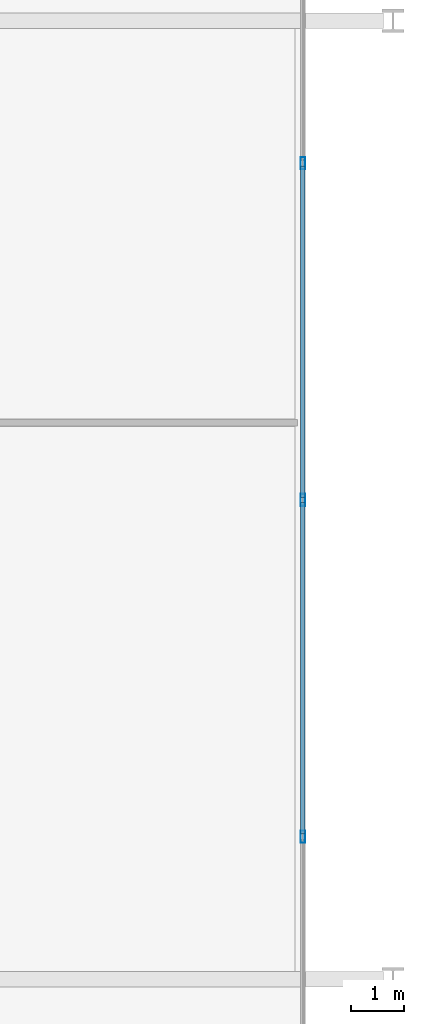
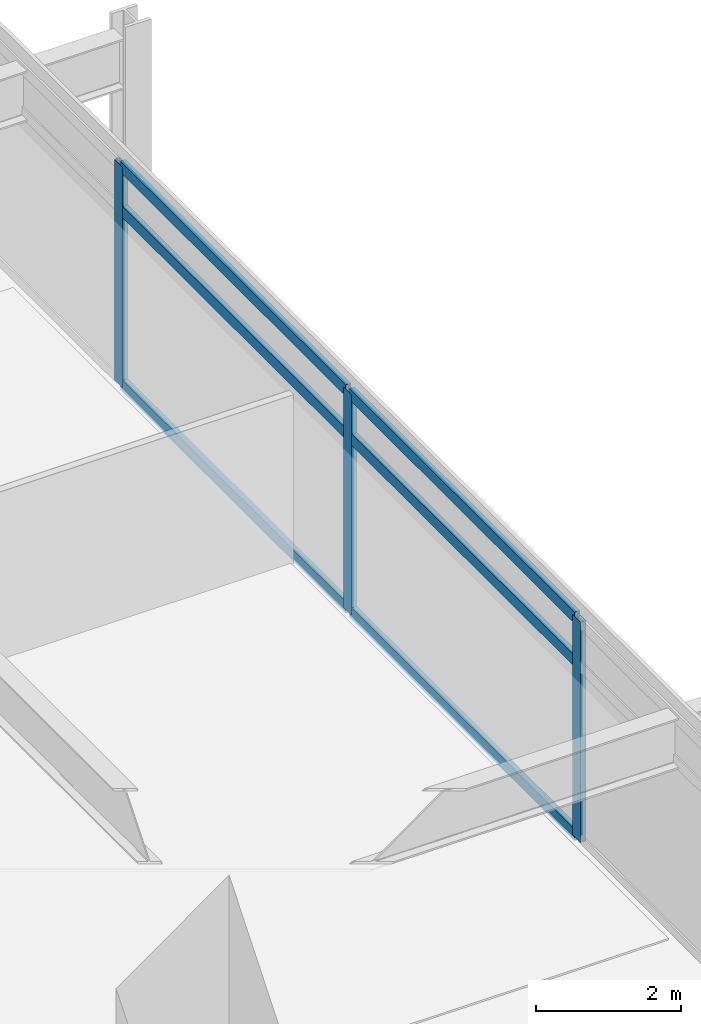
# One storey, part 10 of 23: 9 members, 1 element without a shape of its own.
"""IFC4 building model written with IfcOpenShell, lengths in metres."""

from ifc_helpers import new_model, si_unit, direction, frame, origin, origin_2d, place, context, subcontext, project, spatial, hollow_rectangle, extrude, material, material_profile, profile_set, type_object, element, aggregate, save


model = new_model("IFC4")

# Units and contexts
model_context = context("Model", 3, precision=1e-05, world=origin(), true_north=direction((0.0, 1.0)))
body_context = subcontext(model_context, "Body", "Model", "MODEL_VIEW")
ifc_project = project(units=[si_unit("LENGTHUNIT", "METRE"), si_unit("AREAUNIT", "SQUARE_METRE"), si_unit("VOLUMEUNIT", "CUBIC_METRE"), si_unit("PLANEANGLEUNIT", "RADIAN"), si_unit("MASSUNIT", "GRAM", prefix="KILO")], contexts=[model_context])

# Site, building, storey
site_placement = place(None, origin())
site = spatial("IfcSite", under=ifc_project, at=site_placement, CompositionType="ELEMENT")
building_placement = place(site_placement, origin())
building = spatial("IfcBuilding", under=site, at=building_placement, Name="Kovane Verandah Tower", CompositionType="ELEMENT")
storey_placement = place(building_placement, frame((0.0, 0.0, 63.60009765625)))
storey = spatial("IfcBuildingStorey", under=building, at=storey_placement, Name="L14", CompositionType="ELEMENT", Elevation=63.60009765625)

# Curtain wall, members
ifc_material_1 = material(Name="Champagne Anodised Aluminium Frame with Low-E Clear Laminated Glass", Category="aluminium")
curtain_wall_type = type_object("IfcCurtainWallType", Name="CW-SYS-02-LOW", PredefinedType="NOTDEFINED", material=ifc_material_1)
curtain_wall_placement = place(storey_placement, origin())
curtain_wall = element("IfcCurtainWall", 1, at=curtain_wall_placement, inside=storey, type_object=curtain_wall_type, Name="L14 E Unitised Curtain Wall", PredefinedType="NOTDEFINED")
ifc_material_2 = material(Name="Champagne Anodised Aluminium 6063-T6", Category="aluminium")
ifc_material_profile_1 = material_profile(ifc_material_2, hollow_rectangle(XDim=0.0849609375, YDim=0.22998046875, WallThickness=0.00390625, at=origin_2d()), Name="AL85x230x4")
ifc_profile_set_1 = profile_set([ifc_material_profile_1], Name="Champagne Anodised Aluminium 6063-T6")
member_type_1 = type_object("IfcMemberType", Name="CW-MUL-85x230", PredefinedType="MULLION", material=ifc_profile_set_1)
member_1_placement = place(storey_placement, frame((65.906982421875, 21.175048828125, 0.02001953125), z_axis=(0.0, 0.0, 1.0), x_axis=(1.0, 0.0, 0.0)))
member_1 = element("IfcMember", 2, at=member_1_placement, type_object=member_type_1, Name="L14 E Unitised Curtain Wall Mullion 3", PredefinedType="MULLION", context=body_context, shape_type="SweptSolid", body=[
    extrude(hollow_rectangle(XDim=0.0849609375, YDim=0.22998046875, WallThickness=0.00390625, at=origin_2d()), origin(), (0.0, 0.0, 1.0), 3.719970703125),
])
member_2_placement = place(storey_placement, frame((65.906982421875, 27.5, 0.02001953125), z_axis=(0.0, 0.0, 1.0), x_axis=(1.0, 0.0, 0.0)))
member_2 = element("IfcMember", 3, at=member_2_placement, type_object=member_type_1, Name="L14 E Unitised Curtain Wall Mullion 4", PredefinedType="MULLION", context=body_context, shape_type="SweptSolid", body=[
    extrude(hollow_rectangle(XDim=0.0849609375, YDim=0.22998046875, WallThickness=0.00390625, at=origin_2d()), origin(), (0.0, 0.0, 1.0), 3.719970703125),
])
member_3_placement = place(storey_placement, frame((65.906982421875, 33.824951171875, 0.02001953125), z_axis=(0.0, 0.0, 1.0), x_axis=(1.0, 0.0, 0.0)))
member_3 = element("IfcMember", 4, at=member_3_placement, type_object=member_type_1, Name="L14 E Unitised Curtain Wall Mullion 5", PredefinedType="MULLION", context=body_context, shape_type="SweptSolid", body=[
    extrude(hollow_rectangle(XDim=0.0849609375, YDim=0.22998046875, WallThickness=0.00390625, at=origin_2d()), origin(), (0.0, 0.0, 1.0), 3.719970703125),
])
ifc_material_profile_2 = material_profile(ifc_material_2, hollow_rectangle(XDim=0.0849609375, YDim=0.18994140625, WallThickness=0.00390625, at=origin_2d()), Name="AL85x190x4")
ifc_profile_set_2 = profile_set([ifc_material_profile_2], Name="Champagne Anodised Aluminium 6063-T6")
member_type_2 = type_object("IfcMemberType", Name="CW-TRN-85x190", PredefinedType="USERDEFINED", material=ifc_profile_set_2)
member_4_placement = place(storey_placement, frame((65.906982421875, 21.22509765625, 0.0498046875), z_axis=(0.0, 1.0, 0.0), x_axis=(-1.0, 0.0, 0.0)))
member_4 = element("IfcMember", 5, at=member_4_placement, type_object=member_type_2, Name="L14 E Unitised Curtain Wall Transom TB Bay 3", ObjectType="TRANSOM", PredefinedType="USERDEFINED", context=body_context, shape_type="SweptSolid", body=[
    extrude(hollow_rectangle(XDim=0.0849609375, YDim=0.18994140625, WallThickness=0.00390625, at=origin_2d()), origin(), (0.0, 0.0, 1.0), 6.224853515625),
])
member_5_placement = place(storey_placement, frame((65.906982421875, 21.22509765625, 2.97998046875), z_axis=(0.0, 1.0, 0.0), x_axis=(-1.0, 0.0, 0.0)))
member_5 = element("IfcMember", 6, at=member_5_placement, type_object=member_type_2, Name="L14 E Unitised Curtain Wall Transom TM Bay 3", ObjectType="TRANSOM", PredefinedType="USERDEFINED", context=body_context, shape_type="SweptSolid", body=[
    extrude(hollow_rectangle(XDim=0.0849609375, YDim=0.18994140625, WallThickness=0.00390625, at=origin_2d()), origin(), (0.0, 0.0, 1.0), 6.224853515625),
])
member_6_placement = place(storey_placement, frame((65.906982421875, 21.22509765625, 3.7099609375), z_axis=(0.0, 1.0, 0.0), x_axis=(-1.0, 0.0, 0.0)))
member_6 = element("IfcMember", 7, at=member_6_placement, type_object=member_type_2, Name="L14 E Unitised Curtain Wall Transom TT Bay 3", ObjectType="TRANSOM", PredefinedType="USERDEFINED", context=body_context, shape_type="SweptSolid", body=[
    extrude(hollow_rectangle(XDim=0.0849609375, YDim=0.18994140625, WallThickness=0.00390625, at=origin_2d()), origin(), (0.0, 0.0, 1.0), 6.224853515625),
])
member_7_placement = place(storey_placement, frame((65.906982421875, 27.550048828125, 0.0498046875), z_axis=(0.0, 1.0, 0.0), x_axis=(-1.0, 0.0, 0.0)))
member_7 = element("IfcMember", 8, at=member_7_placement, type_object=member_type_2, Name="L14 E Unitised Curtain Wall Transom TB Bay 4", ObjectType="TRANSOM", PredefinedType="USERDEFINED", context=body_context, shape_type="SweptSolid", body=[
    extrude(hollow_rectangle(XDim=0.0849609375, YDim=0.18994140625, WallThickness=0.00390625, at=origin_2d()), origin(), (0.0, 0.0, 1.0), 6.224853515625),
])
member_8_placement = place(storey_placement, frame((65.906982421875, 27.550048828125, 2.97998046875), z_axis=(0.0, 1.0, 0.0), x_axis=(-1.0, 0.0, 0.0)))
member_8 = element("IfcMember", 9, at=member_8_placement, type_object=member_type_2, Name="L14 E Unitised Curtain Wall Transom TM Bay 4", ObjectType="TRANSOM", PredefinedType="USERDEFINED", context=body_context, shape_type="SweptSolid", body=[
    extrude(hollow_rectangle(XDim=0.0849609375, YDim=0.18994140625, WallThickness=0.00390625, at=origin_2d()), origin(), (0.0, 0.0, 1.0), 6.224853515625),
])
member_9_placement = place(storey_placement, frame((65.906982421875, 27.550048828125, 3.7099609375), z_axis=(0.0, 1.0, 0.0), x_axis=(-1.0, 0.0, 0.0)))
member_9 = element("IfcMember", 10, at=member_9_placement, type_object=member_type_2, Name="L14 E Unitised Curtain Wall Transom TT Bay 4", ObjectType="TRANSOM", PredefinedType="USERDEFINED", context=body_context, shape_type="SweptSolid", body=[
    extrude(hollow_rectangle(XDim=0.0849609375, YDim=0.18994140625, WallThickness=0.00390625, at=origin_2d()), origin(), (0.0, 0.0, 1.0), 6.224853515625),
])
aggregate(curtain_wall, [member_1, member_2, member_3, member_4, member_5, member_6, member_7, member_8, member_9])

save(model, "model.ifc")
